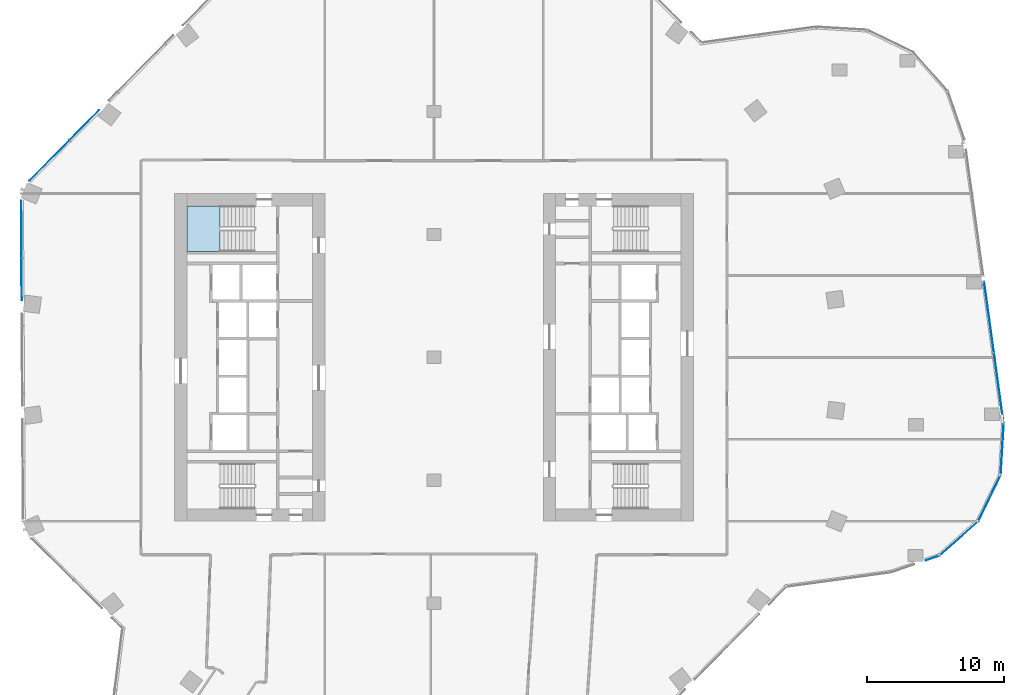
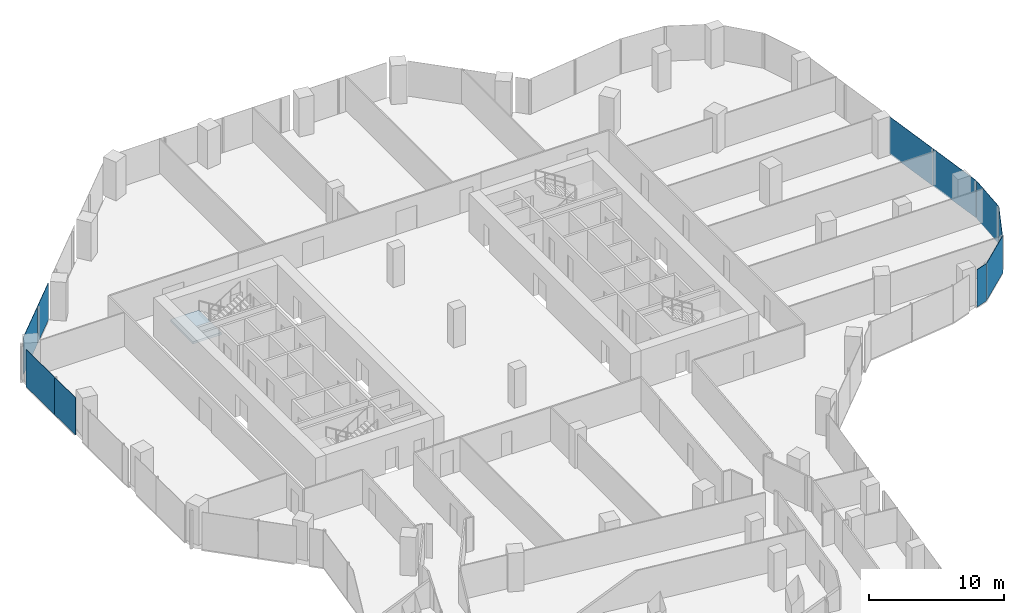
# One storey, part 16 of 27: 10 plates, 1 slab, 8 elements without a shape of their own.
"""IFC4 building model written with IfcOpenShell, lengths in metres."""

import ifcopenshell
import ifcopenshell.guid

model = None  # the IFC model being written
_history = None  # IfcOwnerHistory: only IFC2X3 demands one
_inside = {}  # id of a spatial element -> (the spatial element, [elements in it])
_under = {}  # id of a project, library or spatial element -> (it, [spatial elements below it])
_declared = {}  # id of a project -> (the project, [libraries it declares])
_typed = {}  # id of a type object -> (the type object, [elements of that type])
_made_of = {}  # id of a material, layer set ... -> (it, [elements and type objects made of it])


def new_model(schema):
    """Start an empty IFC model of exactly this schema.

    Asked for "IFC4X3", IfcOpenShell would pick the latest addendum, in which some entities
    have other attributes; the version numbers below select the first issue.
    IFC2X3 requires an IfcOwnerHistory on every rooted entity: one is made here for all.
    """
    global model, _history
    if schema == "IFC4X3":
        model = ifcopenshell.file(schema_version=(4, 3, 0, 0))
    else:
        model = ifcopenshell.file(schema=schema)
    _inside.clear()
    _under.clear()
    _declared.clear()
    _typed.clear()
    _made_of.clear()
    _history = None
    if model.schema == "IFC2X3":
        org = make("IfcOrganization", Name="unknown")
        user = make(
            "IfcPersonAndOrganization",
            ThePerson=make("IfcPerson", FamilyName="unknown"),
            TheOrganization=org,
        )
        app = make(
            "IfcApplication",
            ApplicationDeveloper=org,
            Version="unknown",
            ApplicationFullName="unknown",
            ApplicationIdentifier="unknown",
        )
        _history = make(
            "IfcOwnerHistory",
            OwningUser=user,
            OwningApplication=app,
            ChangeAction="ADDED",
            CreationDate=0,
        )
    return model


def make(cls, **values):
    """One entity of the class cls with the attributes given. An attribute that is None is left unset."""
    return model.create_entity(
        cls, **{name: value for name, value in values.items() if value is not None}
    )


def rooted(cls, **values):
    """An entity with a GlobalId (a new one), such as an element, a storey or a relation."""
    return make(cls, GlobalId=ifcopenshell.guid.new(), OwnerHistory=_history, **values)


def si_unit(unit_type, name, prefix=None):
    """IfcSIUnit, for example si_unit("LENGTHUNIT", "METRE", prefix="MILLI")."""
    return make("IfcSIUnit", UnitType=unit_type, Prefix=prefix, Name=name)


def assignment(units):
    """IfcUnitAssignment: the units of a project."""
    return None if units is None else make("IfcUnitAssignment", Units=units)


def point(xyz):
    """IfcCartesianPoint."""
    return None if xyz is None else make("IfcCartesianPoint", Coordinates=xyz)


def direction(xyz):
    """IfcDirection."""
    return None if xyz is None else make("IfcDirection", DirectionRatios=xyz)


def frame(location, z_axis=None, x_axis=None):
    """IfcAxis2Placement3D, a coordinate frame: its origin and axes. An axis left out is left unset."""
    return make(
        "IfcAxis2Placement3D",
        Location=point(location),
        Axis=direction(z_axis),
        RefDirection=direction(x_axis),
    )


def frame_2d(location, x_axis=None):
    """IfcAxis2Placement2D, a coordinate frame in the plane: its origin and x axis."""
    return make(
        "IfcAxis2Placement2D", Location=point(location), RefDirection=direction(x_axis)
    )


def origin():
    """The frame at (0, 0, 0) with its axes left unset."""
    return frame((0.0, 0.0, 0.0))


def origin_2d():
    """The frame at (0, 0) in the plane with its x axis left unset."""
    return frame_2d((0.0, 0.0))


def place(relative_to, where):
    """IfcLocalPlacement: puts the frame where relative to a parent placement (None: the world)."""
    return make(
        "IfcLocalPlacement", PlacementRelTo=relative_to, RelativePlacement=where
    )


def context(
    kind, dimensions, precision=None, world=None, true_north=None, identifier=None
):
    """IfcGeometricRepresentationContext, for example the 3D "Model" context."""
    return make(
        "IfcGeometricRepresentationContext",
        ContextIdentifier=identifier,
        ContextType=kind,
        CoordinateSpaceDimension=dimensions,
        Precision=precision,
        WorldCoordinateSystem=world,
        TrueNorth=true_north,
    )


def subcontext(parent, identifier, kind, view, scale=None):
    """IfcGeometricRepresentationSubContext, for example "Body" below "Model"."""
    return make(
        "IfcGeometricRepresentationSubContext",
        ContextIdentifier=identifier,
        ContextType=kind,
        ParentContext=parent,
        TargetScale=scale,
        TargetView=view,
    )


def project(units=None, contexts=None):
    """IfcProject with its units and contexts."""
    return rooted(
        "IfcProject",
        Name="project",
        RepresentationContexts=contexts,
        UnitsInContext=assignment(units),
    )


def spatial(cls, under=None, at=None, **own):
    """A site, building, storey or space (cls), placed at a placement, below another one or the project."""
    s = rooted(cls, ObjectPlacement=at, **own)
    if under is not None:
        _under.setdefault(under.id(), (under, []))[1].append(s)
    return s


def polyline(points):
    """IfcPolyline through the points."""
    return make("IfcPolyline", Points=[point(p) for p in points])


def profile(cls, at=None, kind="AREA", **sizes):
    """A parametric profile (cls). Its sizes go by their IFC names, for example OverallWidth=200.0."""
    return make(cls, ProfileType=kind, Position=at, **sizes)


def rectangle(**sizes):
    """IfcRectangleProfileDef."""
    return profile("IfcRectangleProfileDef", **sizes)


def outline(outer, holes=None, kind="AREA"):
    """IfcArbitraryClosedProfileDef: a profile drawn as a closed curve; with holes, ...WithVoids."""
    if holes is None:
        return make("IfcArbitraryClosedProfileDef", ProfileType=kind, OuterCurve=outer)
    return make(
        "IfcArbitraryProfileDefWithVoids",
        ProfileType=kind,
        OuterCurve=outer,
        InnerCurves=holes,
    )


def extrude(swept, where, along, depth):
    """IfcExtrudedAreaSolid: the profile swept, set in the frame where, extruded along a direction by depth."""
    return make(
        "IfcExtrudedAreaSolid",
        SweptArea=swept,
        Position=where,
        ExtrudedDirection=direction(along),
        Depth=depth,
    )


def shape(context_of_items, identifier, shape_type, items):
    """IfcShapeRepresentation: the items that make up one representation, for example the "Body"."""
    return make(
        "IfcShapeRepresentation",
        ContextOfItems=context_of_items,
        RepresentationIdentifier=identifier,
        RepresentationType=shape_type,
        Items=items,
    )


def material(Name=None, Category=None):
    """IfcMaterial."""
    return make("IfcMaterial", Name=Name, Category=Category)


def layer(
    of_material, thickness, ventilated=None, Name=None, Category=None, Priority=None
):
    """IfcMaterialLayer: one layer of a wall or slab, of a material (None: an air gap)."""
    return make(
        "IfcMaterialLayer",
        Material=of_material,
        LayerThickness=thickness,
        IsVentilated=ventilated,
        Name=Name,
        Category=Category,
        Priority=Priority,
    )


def layer_set(layers, Name=None):
    """IfcMaterialLayerSet."""
    return make("IfcMaterialLayerSet", MaterialLayers=layers, LayerSetName=Name)


def made_of(thing, what):
    """Note that an element or type object is made of a material, layer set ...; save() writes the relation."""
    if what is not None:
        _made_of.setdefault(what.id(), (what, []))[1].append(thing)
    return thing


def type_object(cls, material=None, **own):
    """A type object (cls), such as IfcWallType, which elements share."""
    return made_of(rooted(cls, **own), material)


def element(
    cls,
    number,
    at=None,
    inside=None,
    cuts=None,
    type_object=None,
    material=None,
    context=None,
    identifier="Body",
    shape_type=None,
    held_by="IfcProductDefinitionShape",
    body=None,
    shapes=None,
    **own,
):
    """One element of the class cls, such as IfcWall. Its Tag is "e" and its number.

    at: its placement. inside: the storey or other place that contains it. cuts: it is an
    opening in that element (IfcRelVoidsElement). A single representation is given by context,
    identifier, shape_type and body (its items); several are given by shapes. held_by: the class
    of the entity that holds the representations. save() writes the other relations.
    """
    e = rooted(cls, Tag="e%d" % number, ObjectPlacement=at, **own)
    if body is not None:
        shapes = [shape(context, identifier, shape_type, body)]
    if shapes is not None:
        e.Representation = make(held_by, Representations=shapes)
    if inside is not None:
        _inside.setdefault(inside.id(), (inside, []))[1].append(e)
    if cuts is not None:
        rooted(
            "IfcRelVoidsElement", RelatingBuildingElement=cuts, RelatedOpeningElement=e
        )
    if type_object is not None:
        _typed.setdefault(type_object.id(), (type_object, []))[1].append(e)
    return made_of(e, material)


def aggregate(whole, parts):
    """IfcRelAggregates: a whole, such as a stair, and the parts it consists of."""
    return rooted("IfcRelAggregates", RelatingObject=whole, RelatedObjects=parts)


def save(model, path):
    """Write the relations noted so far, then the file.

    IfcRelAggregates (storeys below a building ...), IfcRelContainedInSpatialStructure (elements
    in a storey), IfcRelDefinesByType, IfcRelAssociatesMaterial and IfcRelDeclares: one each for
    every whole, place, type object, material and project.
    """
    for whole, parts in _under.values():
        aggregate(whole, parts)
    for where, things in _inside.values():
        rooted(
            "IfcRelContainedInSpatialStructure",
            RelatedElements=things,
            RelatingStructure=where,
        )
    for kind, things in _typed.values():
        rooted("IfcRelDefinesByType", RelatedObjects=things, RelatingType=kind)
    for what, things in _made_of.values():
        rooted("IfcRelAssociatesMaterial", RelatedObjects=things, RelatingMaterial=what)
    for by, libraries in _declared.values():
        rooted("IfcRelDeclares", RelatingContext=by, RelatedDefinitions=libraries)
    model.write(path)


model = new_model("IFC4")

# Units and contexts
model_context = context("Model", 3, precision=1e-05, world=origin(), true_north=direction((0.0, 1.0)))
body_context = subcontext(model_context, "Body", "Model", "MODEL_VIEW")
ifc_project = project(units=[si_unit("LENGTHUNIT", "METRE"), si_unit("AREAUNIT", "SQUARE_METRE"), si_unit("VOLUMEUNIT", "CUBIC_METRE"), si_unit("PLANEANGLEUNIT", "RADIAN"), si_unit("MASSUNIT", "GRAM", prefix="KILO")], contexts=[model_context])

# Site, building, storey
site_placement = place(None, origin())
site = spatial("IfcSite", under=ifc_project, at=site_placement, CompositionType="ELEMENT")
building_placement = place(site_placement, origin())
building = spatial("IfcBuilding", under=site, at=building_placement, Name="Orlundy Tower", CompositionType="ELEMENT")
storey_placement = place(building_placement, frame((0.0, 0.0, 195.60009765625)))
storey = spatial("IfcBuildingStorey", under=building, at=storey_placement, Name="L51", CompositionType="ELEMENT", Elevation=195.60009765625)

# Curtain wall, plates
ifc_material_1 = material(Name="Aluminium bronze anodised", Category="aluminium")
curtain_wall_type = type_object("IfcCurtainWallType", Name="CW1 wall", PredefinedType="NOTDEFINED", material=ifc_material_1)
curtain_wall_1_placement = place(storey_placement, origin())
curtain_wall_1 = element("IfcCurtainWall", 1, at=curtain_wall_1_placement, inside=storey, type_object=curtain_wall_type, Name="CW1 run 02", PredefinedType="NOTDEFINED")
ifc_material_2 = material(Name="Tinted glass", Category="glass")
ifc_layer_1 = layer(ifc_material_2, 0.031982421875)
ifc_layer_set_1 = layer_set([ifc_layer_1], Name="CW1 glass panel 32")
plate_type = type_object("IfcPlateType", Name="CW1 glass panel 32", PredefinedType="CURTAIN_PANEL", material=ifc_layer_set_1)
plate_1_placement = place(storey_placement, frame((-30.197998046875, 5.7265625, -0.300048828125), z_axis=(0.0, 0.0, 1.0), x_axis=(-0.005834206419, 0.999982980873, 0.0)))
plate_1 = element("IfcPlate", 2, at=plate_1_placement, type_object=plate_type, Name="CW1 panel", PredefinedType="CURTAIN_PANEL", context=body_context, shape_type="SweptSolid", body=[
    extrude(rectangle(XDim=3.0576171875, YDim=0.031982421875, at=origin_2d()), origin(), (0.0, 0.0, 1.0), 3.3798828125),
])
plate_2_placement = place(storey_placement, frame((-30.21923828125, 9.37939453125, -0.300048828125), z_axis=(0.0, 0.0, 1.0), x_axis=(-0.005834206419, 0.999982980873, 0.0)))
plate_2 = element("IfcPlate", 3, at=plate_2_placement, type_object=plate_type, Name="CW1 panel", PredefinedType="CURTAIN_PANEL", context=body_context, shape_type="SweptSolid", body=[
    extrude(rectangle(XDim=4.14794921875, YDim=0.031982421875, at=origin_2d()), origin(), (0.0, 0.0, 1.0), 3.3798828125),
])
aggregate(curtain_wall_1, [plate_1, plate_2])

curtain_wall_2_placement = place(storey_placement, origin())
curtain_wall_2 = element("IfcCurtainWall", 4, at=curtain_wall_2_placement, inside=storey, type_object=curtain_wall_type, Name="CW1 run 03", PredefinedType="NOTDEFINED")
plate_3_placement = place(storey_placement, frame((-28.169677734375, 14.40966796875, -0.300048828125), z_axis=(0.0, 0.0, 1.0), x_axis=(0.702990637629, 0.711199102506, 0.0)))
plate_3 = element("IfcPlate", 5, at=plate_3_placement, type_object=plate_type, Name="CW1 panel", PredefinedType="CURTAIN_PANEL", context=body_context, shape_type="SweptSolid", body=[
    extrude(rectangle(XDim=4.147216796875, YDim=0.031982421875, at=origin_2d()), origin(), (0.0, 0.0, 1.0), 3.3798828125),
])
plate_4_placement = place(storey_placement, frame((-25.602294921875, 17.007080078125, -0.300048828125), z_axis=(0.0, 0.0, 1.0), x_axis=(0.702990637629, 0.711199102506, 0.0)))
plate_4 = element("IfcPlate", 6, at=plate_4_placement, type_object=plate_type, Name="CW1 panel", PredefinedType="CURTAIN_PANEL", context=body_context, shape_type="SweptSolid", body=[
    extrude(rectangle(XDim=3.05712890625, YDim=0.031982421875, at=origin_2d()), origin(), (0.0, 0.0, 1.0), 3.3798828125),
])
aggregate(curtain_wall_2, [plate_3, plate_4])

curtain_wall_3_placement = place(storey_placement, origin())
curtain_wall_3 = element("IfcCurtainWall", 7, at=curtain_wall_3_placement, inside=storey, type_object=curtain_wall_type, Name="CW1 run 011", PredefinedType="NOTDEFINED")
plate_5_placement = place(storey_placement, frame((40.642333984375, 2.94189453125, -0.300048828125), z_axis=(0.0, 0.0, 1.0), x_axis=(0.13628610677, -0.990669519619, 0.0)))
plate_5 = element("IfcPlate", 8, at=plate_5_placement, type_object=plate_type, Name="CW1 panel", PredefinedType="CURTAIN_PANEL", context=body_context, shape_type="SweptSolid", body=[
    extrude(rectangle(XDim=5.199951171875, YDim=0.031982421875, at=origin_2d()), origin(), (0.0, 0.0, 1.0), 3.3798828125),
])
plate_6_placement = place(storey_placement, frame((41.35888671875, -2.26708984375, -0.300048828125), z_axis=(0.0, 0.0, 1.0), x_axis=(0.13628610677, -0.990669519619, 0.0)))
plate_6 = element("IfcPlate", 9, at=plate_6_placement, type_object=plate_type, Name="CW1 panel", PredefinedType="CURTAIN_PANEL", context=body_context, shape_type="SweptSolid", body=[
    extrude(rectangle(XDim=5.216064453125, YDim=0.031982421875, at=origin_2d()), origin(), (0.0, 0.0, 1.0), 3.3798828125),
])
aggregate(curtain_wall_3, [plate_5, plate_6])

# Curtain wall, plate
curtain_wall_4_placement = place(storey_placement, origin())
curtain_wall_4 = element("IfcCurtainWall", 10, at=curtain_wall_4_placement, inside=storey, type_object=curtain_wall_type, Name="CW1 run 012", PredefinedType="NOTDEFINED")
plate_7_placement = place(storey_placement, frame((41.60498046875, -6.762451171875, -0.300048828125), z_axis=(0.0, 0.0, 1.0), x_axis=(-0.059623466872, -0.998220938569, 0.0)))
plate_7 = element("IfcPlate", 11, at=plate_7_placement, type_object=plate_type, Name="CW1 panel", PredefinedType="CURTAIN_PANEL", context=body_context, shape_type="SweptSolid", body=[
    extrude(rectangle(XDim=3.730224609375, YDim=0.031982421875, at=origin_2d()), origin(), (0.0, 0.0, 1.0), 3.3798828125),
])
aggregate(curtain_wall_4, [plate_7])

curtain_wall_5_placement = place(storey_placement, origin())
curtain_wall_5 = element("IfcCurtainWall", 12, at=curtain_wall_5_placement, inside=storey, type_object=curtain_wall_type, Name="CW1 run 013", PredefinedType="NOTDEFINED")
plate_8_placement = place(storey_placement, frame((40.66943359375, -10.320556640625, -0.300048828125), z_axis=(0.0, 0.0, 1.0), x_axis=(-0.437041163358, -0.899441505342, 0.0)))
plate_8 = element("IfcPlate", 13, at=plate_8_placement, type_object=plate_type, Name="CW1 panel", PredefinedType="CURTAIN_PANEL", context=body_context, shape_type="SweptSolid", body=[
    extrude(rectangle(XDim=3.77197265625, YDim=0.031982421875, at=origin_2d()), origin(), (0.0, 0.0, 1.0), 3.3798828125),
])
aggregate(curtain_wall_5, [plate_8])

curtain_wall_6_placement = place(storey_placement, origin())
curtain_wall_6 = element("IfcCurtainWall", 14, at=curtain_wall_6_placement, inside=storey, type_object=curtain_wall_type, Name="CW1 run 014", PredefinedType="NOTDEFINED")
plate_9_placement = place(storey_placement, frame((38.434814453125, -13.2685546875, -0.300048828125), z_axis=(0.0, 0.0, 1.0), x_axis=(-0.747944996694, -0.663760711342, 0.0)))
plate_9 = element("IfcPlate", 15, at=plate_9_placement, type_object=plate_type, Name="CW1 panel", PredefinedType="CURTAIN_PANEL", context=body_context, shape_type="SweptSolid", body=[
    extrude(rectangle(XDim=3.771484375, YDim=0.031982421875, at=origin_2d()), origin(), (0.0, 0.0, 1.0), 3.3798828125),
])
aggregate(curtain_wall_6, [plate_9])

curtain_wall_7_placement = place(storey_placement, origin())
curtain_wall_7 = element("IfcCurtainWall", 16, at=curtain_wall_7_placement, inside=storey, type_object=curtain_wall_type, Name="CW1 run 015", PredefinedType="NOTDEFINED")
plate_10_placement = place(storey_placement, frame((36.51611328125, -14.696044921875, -0.300048828125), z_axis=(0.0, 0.0, 1.0), x_axis=(-0.945034174317, -0.32697157273, 0.0)))
plate_10 = element("IfcPlate", 17, at=plate_10_placement, type_object=plate_type, Name="CW1 panel", PredefinedType="CURTAIN_PANEL", context=body_context, shape_type="SweptSolid", body=[
    extrude(rectangle(XDim=1.07568359375, YDim=0.031982421875, at=origin_2d()), origin(), (0.0, 0.0, 1.0), 3.3798828125),
])
aggregate(curtain_wall_7, [plate_10])

# Stair, slab
ifc_material_3 = material(Name="Concrete C50/60", Category="concrete")
stair_type = type_object("IfcStairType", Name="Exit Stair 20 risers", PredefinedType="HALF_TURN_STAIR", material=ifc_material_3)
stair_placement = place(storey_placement, origin())
stair = element("IfcStair", 18, at=stair_placement, inside=storey, type_object=stair_type, Name="L51 Exit Stair ST-W1", PredefinedType="HALF_TURN_STAIR")
ifc_material_4 = material(Name="Concrete C50/60", Category="concrete")
ifc_layer_2 = layer(ifc_material_4, 0.199951171875)
ifc_layer_set_2 = layer_set([ifc_layer_2], Name="Exit Stair Landing")
slab_type = type_object("IfcSlabType", Name="Exit Stair Landing", PredefinedType="LANDING", material=ifc_layer_set_2)
slab_placement = place(storey_placement, frame((0.0, 0.0, 1.5498046875)))
slab = element("IfcSlab", 19, at=slab_placement, type_object=slab_type, Name="ST-W1 landing 1", PredefinedType="LANDING", context=body_context, shape_type="SweptSolid", body=[
    extrude(outline(polyline([(-15.659912109375, 11.10009765625), (-18.10009765625, 11.10009765625), (-18.10009765625, 7.75), (-15.659912109375, 7.75), (-15.659912109375, 11.10009765625)])), origin(), (0.0, 0.0, 1.0), 0.2001953125),
])
aggregate(stair, [slab])

save(model, "model.ifc")
